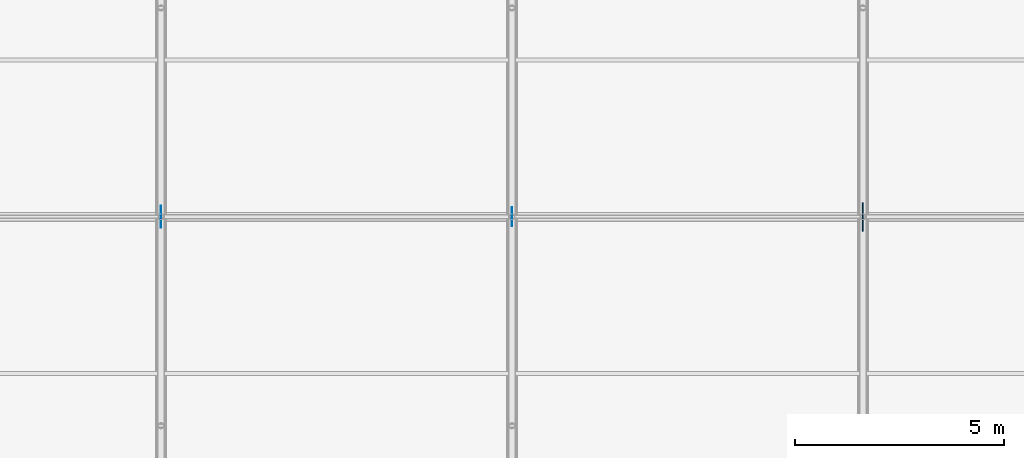
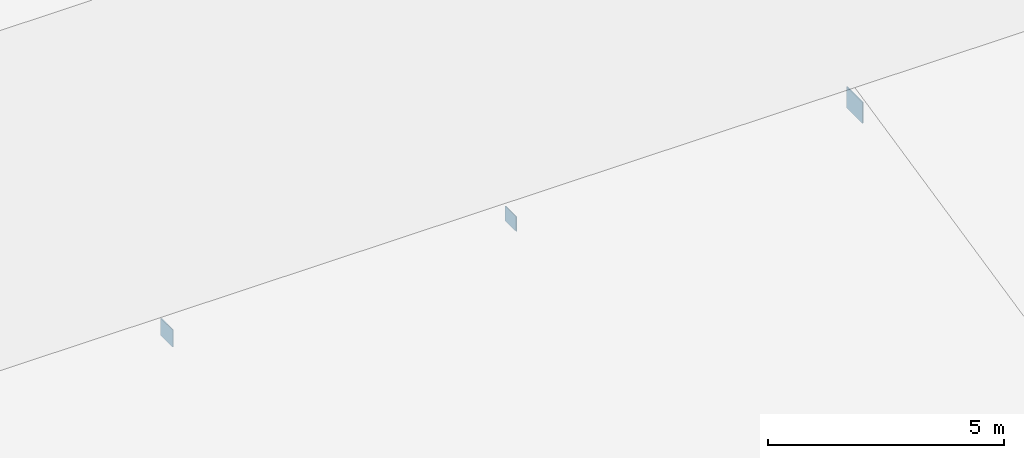
# One storey, part 170 of 194: 3 plates.
"""IFC4 building model written with IfcOpenShell, lengths in metres."""

from ifc_helpers import new_model, si_unit, direction, frame, origin, origin_2d, place, context, subcontext, project, spatial, rectangle, extrude, material, layer, layer_set, type_object, element, save


model = new_model("IFC4")

# Units and contexts
model_context = context("Model", 3, precision=1e-05, world=origin(), true_north=direction((0.0, 1.0)))
body_context = subcontext(model_context, "Body", "Model", "MODEL_VIEW")
ifc_project = project(units=[si_unit("LENGTHUNIT", "METRE"), si_unit("AREAUNIT", "SQUARE_METRE"), si_unit("VOLUMEUNIT", "CUBIC_METRE"), si_unit("PLANEANGLEUNIT", "RADIAN"), si_unit("MASSUNIT", "GRAM", prefix="KILO")], contexts=[model_context])

# Site, building, storey
site_placement = place(None, origin())
site = spatial("IfcSite", under=ifc_project, at=site_placement, CompositionType="ELEMENT")
building_placement = place(site_placement, origin())
building = spatial("IfcBuilding", under=site, at=building_placement, Name="Kazenagashi Tramway Depot", CompositionType="ELEMENT")
storey_placement = place(building_placement, frame((0.0, 0.0, 23.7)))
storey = spatial("IfcBuildingStorey", under=building, at=storey_placement, Name="ROOF", CompositionType="ELEMENT", Elevation=23.7)

# Plates
ifc_material = material(Name="Steel SN490B", Category="steel")
ifc_layer_1 = layer(ifc_material, 0.019)
ifc_layer_set_1 = layer_set([ifc_layer_1], Name="Steel SN490B")
plate_type_1 = type_object("IfcPlateType", Name="GP-08", PredefinedType="USERDEFINED", material=ifc_layer_set_1)
plate_1_placement = place(storey_placement, frame((103.6, 85.0, -10.82), z_axis=(0.0, 0.0, 1.0), x_axis=(0.0, 1.0, 0.0)))
element("IfcPlate", 1, at=plate_1_placement, inside=storey, type_object=plate_type_1, Name="Structural Node Plate GP-08 PLT-0029", ObjectType="GUSSET PLATE", PredefinedType="USERDEFINED", context=body_context, shape_type="SweptSolid", body=[
    extrude(rectangle(XDim=0.52, YDim=0.019, at=origin_2d()), origin(), (0.0, 0.0, 1.0), 0.44),
])
ifc_layer_2 = layer(ifc_material, 0.016)
ifc_layer_set_2 = layer_set([ifc_layer_2], Name="Steel SN490B")
plate_type_2 = type_object("IfcPlateType", Name="GP-09", PredefinedType="USERDEFINED", material=ifc_layer_set_2)
plate_2_placement = place(storey_placement, frame((112.0, 85.0, -10.79), z_axis=(0.0, 0.0, 1.0), x_axis=(0.0, 1.0, 0.0)))
element("IfcPlate", 2, at=plate_2_placement, inside=storey, type_object=plate_type_2, Name="Structural Node Plate GP-09 PLT-0033", ObjectType="GUSSET PLATE", PredefinedType="USERDEFINED", context=body_context, shape_type="SweptSolid", body=[
    extrude(rectangle(XDim=0.46, YDim=0.016, at=origin_2d()), origin(), (0.0, 0.0, 1.0), 0.38),
])
ifc_layer_3 = layer(ifc_material, 0.025)
ifc_layer_set_3 = layer_set([ifc_layer_3], Name="Steel SN490B")
plate_type_3 = type_object("IfcPlateType", Name="GP-10", PredefinedType="USERDEFINED", material=ifc_layer_set_3)
plate_3_placement = place(storey_placement, frame((120.4, 85.0, -10.87), z_axis=(0.0, 0.0, 1.0), x_axis=(0.0, 1.0, 0.0)))
element("IfcPlate", 3, at=plate_3_placement, inside=storey, type_object=plate_type_3, Name="Structural Node Plate GP-10 PLT-0037", ObjectType="GUSSET PLATE", PredefinedType="USERDEFINED", context=body_context, shape_type="SweptSolid", body=[
    extrude(rectangle(XDim=0.68, YDim=0.025, at=origin_2d()), origin(), (0.0, 0.0, 1.0), 0.54),
])

save(model, "model.ifc")
